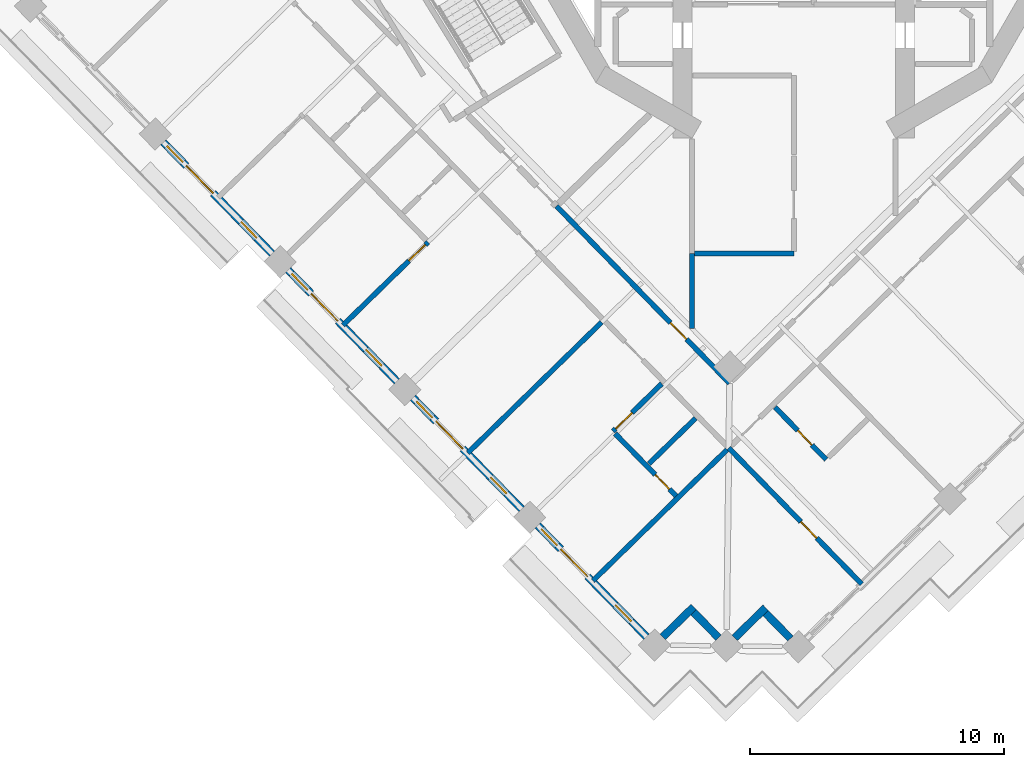
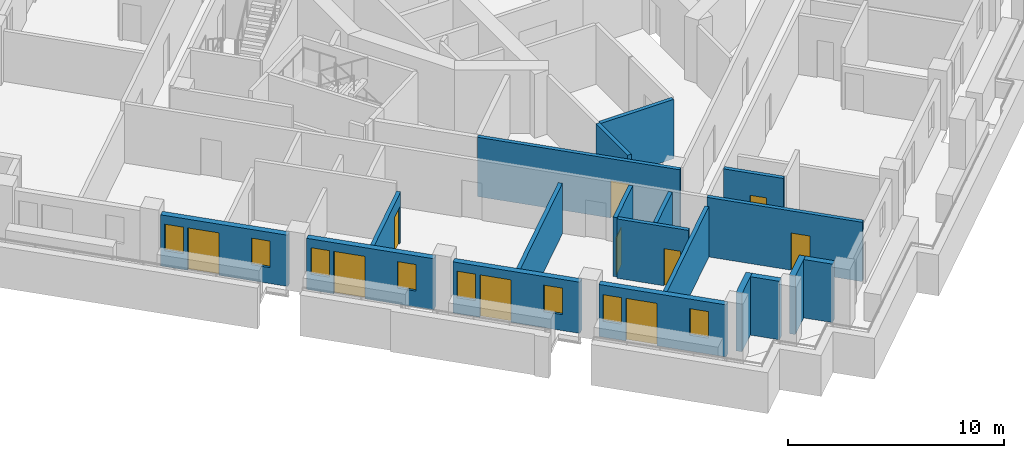
# One storey, part 4 of 19: 19 walls, 10 doors, 8 windows, 18 openings.
"""IFC4 building model written with IfcOpenShell, lengths in metres."""

import ifcopenshell
import ifcopenshell.guid

model = None  # the IFC model being written
_history = None  # IfcOwnerHistory: only IFC2X3 demands one
_inside = {}  # id of a spatial element -> (the spatial element, [elements in it])
_under = {}  # id of a project, library or spatial element -> (it, [spatial elements below it])
_declared = {}  # id of a project -> (the project, [libraries it declares])
_typed = {}  # id of a type object -> (the type object, [elements of that type])
_made_of = {}  # id of a material, layer set ... -> (it, [elements and type objects made of it])


def new_model(schema):
    """Start an empty IFC model of exactly this schema.

    Asked for "IFC4X3", IfcOpenShell would pick the latest addendum, in which some entities
    have other attributes; the version numbers below select the first issue.
    IFC2X3 requires an IfcOwnerHistory on every rooted entity: one is made here for all.
    """
    global model, _history
    if schema == "IFC4X3":
        model = ifcopenshell.file(schema_version=(4, 3, 0, 0))
    else:
        model = ifcopenshell.file(schema=schema)
    _inside.clear()
    _under.clear()
    _declared.clear()
    _typed.clear()
    _made_of.clear()
    _history = None
    if model.schema == "IFC2X3":
        org = make("IfcOrganization", Name="unknown")
        user = make(
            "IfcPersonAndOrganization",
            ThePerson=make("IfcPerson", FamilyName="unknown"),
            TheOrganization=org,
        )
        app = make(
            "IfcApplication",
            ApplicationDeveloper=org,
            Version="unknown",
            ApplicationFullName="unknown",
            ApplicationIdentifier="unknown",
        )
        _history = make(
            "IfcOwnerHistory",
            OwningUser=user,
            OwningApplication=app,
            ChangeAction="ADDED",
            CreationDate=0,
        )
    return model


def make(cls, **values):
    """One entity of the class cls with the attributes given. An attribute that is None is left unset."""
    return model.create_entity(
        cls, **{name: value for name, value in values.items() if value is not None}
    )


def rooted(cls, **values):
    """An entity with a GlobalId (a new one), such as an element, a storey or a relation."""
    return make(cls, GlobalId=ifcopenshell.guid.new(), OwnerHistory=_history, **values)


def si_unit(unit_type, name, prefix=None):
    """IfcSIUnit, for example si_unit("LENGTHUNIT", "METRE", prefix="MILLI")."""
    return make("IfcSIUnit", UnitType=unit_type, Prefix=prefix, Name=name)


def assignment(units):
    """IfcUnitAssignment: the units of a project."""
    return None if units is None else make("IfcUnitAssignment", Units=units)


def point(xyz):
    """IfcCartesianPoint."""
    return None if xyz is None else make("IfcCartesianPoint", Coordinates=xyz)


def direction(xyz):
    """IfcDirection."""
    return None if xyz is None else make("IfcDirection", DirectionRatios=xyz)


def frame(location, z_axis=None, x_axis=None):
    """IfcAxis2Placement3D, a coordinate frame: its origin and axes. An axis left out is left unset."""
    return make(
        "IfcAxis2Placement3D",
        Location=point(location),
        Axis=direction(z_axis),
        RefDirection=direction(x_axis),
    )


def frame_2d(location, x_axis=None):
    """IfcAxis2Placement2D, a coordinate frame in the plane: its origin and x axis."""
    return make(
        "IfcAxis2Placement2D", Location=point(location), RefDirection=direction(x_axis)
    )


def origin():
    """The frame at (0, 0, 0) with its axes left unset."""
    return frame((0.0, 0.0, 0.0))


def place(relative_to, where):
    """IfcLocalPlacement: puts the frame where relative to a parent placement (None: the world)."""
    return make(
        "IfcLocalPlacement", PlacementRelTo=relative_to, RelativePlacement=where
    )


def context(
    kind, dimensions, precision=None, world=None, true_north=None, identifier=None
):
    """IfcGeometricRepresentationContext, for example the 3D "Model" context."""
    return make(
        "IfcGeometricRepresentationContext",
        ContextIdentifier=identifier,
        ContextType=kind,
        CoordinateSpaceDimension=dimensions,
        Precision=precision,
        WorldCoordinateSystem=world,
        TrueNorth=true_north,
    )


def subcontext(parent, identifier, kind, view, scale=None):
    """IfcGeometricRepresentationSubContext, for example "Body" below "Model"."""
    return make(
        "IfcGeometricRepresentationSubContext",
        ContextIdentifier=identifier,
        ContextType=kind,
        ParentContext=parent,
        TargetScale=scale,
        TargetView=view,
    )


def project(units=None, contexts=None):
    """IfcProject with its units and contexts."""
    return rooted(
        "IfcProject",
        Name="project",
        RepresentationContexts=contexts,
        UnitsInContext=assignment(units),
    )


def spatial(cls, under=None, at=None, **own):
    """A site, building, storey or space (cls), placed at a placement, below another one or the project."""
    s = rooted(cls, ObjectPlacement=at, **own)
    if under is not None:
        _under.setdefault(under.id(), (under, []))[1].append(s)
    return s


def profile(cls, at=None, kind="AREA", **sizes):
    """A parametric profile (cls). Its sizes go by their IFC names, for example OverallWidth=200.0."""
    return make(cls, ProfileType=kind, Position=at, **sizes)


def rectangle(**sizes):
    """IfcRectangleProfileDef."""
    return profile("IfcRectangleProfileDef", **sizes)


def extrude(swept, where, along, depth):
    """IfcExtrudedAreaSolid: the profile swept, set in the frame where, extruded along a direction by depth."""
    return make(
        "IfcExtrudedAreaSolid",
        SweptArea=swept,
        Position=where,
        ExtrudedDirection=direction(along),
        Depth=depth,
    )


def shape(context_of_items, identifier, shape_type, items):
    """IfcShapeRepresentation: the items that make up one representation, for example the "Body"."""
    return make(
        "IfcShapeRepresentation",
        ContextOfItems=context_of_items,
        RepresentationIdentifier=identifier,
        RepresentationType=shape_type,
        Items=items,
    )


def material(Name=None, Category=None):
    """IfcMaterial."""
    return make("IfcMaterial", Name=Name, Category=Category)


def layer(
    of_material, thickness, ventilated=None, Name=None, Category=None, Priority=None
):
    """IfcMaterialLayer: one layer of a wall or slab, of a material (None: an air gap)."""
    return make(
        "IfcMaterialLayer",
        Material=of_material,
        LayerThickness=thickness,
        IsVentilated=ventilated,
        Name=Name,
        Category=Category,
        Priority=Priority,
    )


def layer_set(layers, Name=None):
    """IfcMaterialLayerSet."""
    return make("IfcMaterialLayerSet", MaterialLayers=layers, LayerSetName=Name)


def made_of(thing, what):
    """Note that an element or type object is made of a material, layer set ...; save() writes the relation."""
    if what is not None:
        _made_of.setdefault(what.id(), (what, []))[1].append(thing)
    return thing


def type_object(cls, material=None, **own):
    """A type object (cls), such as IfcWallType, which elements share."""
    return made_of(rooted(cls, **own), material)


def element(
    cls,
    number,
    at=None,
    inside=None,
    cuts=None,
    type_object=None,
    material=None,
    context=None,
    identifier="Body",
    shape_type=None,
    held_by="IfcProductDefinitionShape",
    body=None,
    shapes=None,
    **own,
):
    """One element of the class cls, such as IfcWall. Its Tag is "e" and its number.

    at: its placement. inside: the storey or other place that contains it. cuts: it is an
    opening in that element (IfcRelVoidsElement). A single representation is given by context,
    identifier, shape_type and body (its items); several are given by shapes. held_by: the class
    of the entity that holds the representations. save() writes the other relations.
    """
    e = rooted(cls, Tag="e%d" % number, ObjectPlacement=at, **own)
    if body is not None:
        shapes = [shape(context, identifier, shape_type, body)]
    if shapes is not None:
        e.Representation = make(held_by, Representations=shapes)
    if inside is not None:
        _inside.setdefault(inside.id(), (inside, []))[1].append(e)
    if cuts is not None:
        rooted(
            "IfcRelVoidsElement", RelatingBuildingElement=cuts, RelatedOpeningElement=e
        )
    if type_object is not None:
        _typed.setdefault(type_object.id(), (type_object, []))[1].append(e)
    return made_of(e, material)


def fill(opening, filler):
    """IfcRelFillsElement: the door or window that sits in an opening."""
    return rooted(
        "IfcRelFillsElement",
        RelatingOpeningElement=opening,
        RelatedBuildingElement=filler,
    )


def aggregate(whole, parts):
    """IfcRelAggregates: a whole, such as a stair, and the parts it consists of."""
    return rooted("IfcRelAggregates", RelatingObject=whole, RelatedObjects=parts)


def save(model, path):
    """Write the relations noted so far, then the file.

    IfcRelAggregates (storeys below a building ...), IfcRelContainedInSpatialStructure (elements
    in a storey), IfcRelDefinesByType, IfcRelAssociatesMaterial and IfcRelDeclares: one each for
    every whole, place, type object, material and project.
    """
    for whole, parts in _under.values():
        aggregate(whole, parts)
    for where, things in _inside.values():
        rooted(
            "IfcRelContainedInSpatialStructure",
            RelatedElements=things,
            RelatingStructure=where,
        )
    for kind, things in _typed.values():
        rooted("IfcRelDefinesByType", RelatedObjects=things, RelatingType=kind)
    for what, things in _made_of.values():
        rooted("IfcRelAssociatesMaterial", RelatedObjects=things, RelatingMaterial=what)
    for by, libraries in _declared.values():
        rooted("IfcRelDeclares", RelatingContext=by, RelatedDefinitions=libraries)
    model.write(path)


model = new_model("IFC4")

# Units and contexts
model_context = context("Model", 3, precision=1e-05, world=origin(), true_north=direction((0.0, 1.0)))
body_context = subcontext(model_context, "Body", "Model", "MODEL_VIEW")
ifc_project = project(units=[si_unit("LENGTHUNIT", "METRE"), si_unit("AREAUNIT", "SQUARE_METRE"), si_unit("VOLUMEUNIT", "CUBIC_METRE"), si_unit("PLANEANGLEUNIT", "RADIAN"), si_unit("MASSUNIT", "GRAM", prefix="KILO")], contexts=[model_context])

# Site, building, storey
site_placement = place(None, origin())
site = spatial("IfcSite", under=ifc_project, at=site_placement, CompositionType="ELEMENT")
building_placement = place(site_placement, origin())
building = spatial("IfcBuilding", under=site, at=building_placement, Name="Cantera Rosa Tower", CompositionType="ELEMENT")
storey_placement = place(building_placement, frame((0.0, 0.0, 216.199951171875)))
storey = spatial("IfcBuildingStorey", under=building, at=storey_placement, Name="L46", CompositionType="ELEMENT", Elevation=216.199951171875)

# Wall, opening, door
ifc_material_1 = material(Name="Gypsum board partition")
ifc_layer_1 = layer(ifc_material_1, 0.199951171875)
ifc_layer_set_1 = layer_set([ifc_layer_1], Name="CORRIDOR WALL 200 H3350")
wall_type_1 = type_object("IfcWallType", Name="CORRIDOR WALL 200 H3350", PredefinedType="PARTITIONING", material=ifc_layer_set_1)
wall_1_placement = place(storey_placement, frame((-9.325927734375, -12.634521484375, 0.0), z_axis=(0.0, 0.0, 1.0), x_axis=(0.698841350765, -0.71527670622, 0.0)))
wall_1 = element("IfcWall", 1, at=wall_1_placement, inside=storey, type_object=wall_type_1, Name="CORRIDOR WALL L46-032", PredefinedType="PARTITIONING", context=body_context, shape_type="SweptSolid", body=[
    extrude(rectangle(XDim=9.729736328125, YDim=0.199951171875, at=frame_2d((4.86474609375, 0.0))), origin(), (0.0, 0.0, 1.0), 3.35009765625),
])
opening_1_placement = place(wall_1_placement, frame((6.406982421875, 0.0, 0.0)))
opening_1 = element("IfcOpeningElement", 2, at=opening_1_placement, cuts=wall_1, Name="Opening L46-010", PredefinedType="OPENING", context=body_context, shape_type="SweptSolid", body=[
    extrude(rectangle(XDim=0.89990234375, YDim=2.10009765625, at=frame_2d((0.449951171875, 1.050048828125))), frame((0.0, 0.10986328125, 0.0), z_axis=(0.0, -1.0, 0.0), x_axis=(1.0, 0.0, 0.0)), (0.0, 0.0, 1.0), 0.219970703125),
])
ifc_material_2 = material(Name="Timber door leaf", Category="wood")
door_type_1 = type_object("IfcDoorType", Name="SERVICE DOOR 900x2100", OperationType="NOTDEFINED", PredefinedType="DOOR", material=ifc_material_2)
door_1_placement = place(opening_1_placement, origin())
door_1 = element("IfcDoor", 3, at=door_1_placement, inside=storey, type_object=door_type_1, Name="DOOR L46-010", OperationType="NOTDEFINED", OverallHeight=2.10009765625, OverallWidth=0.89990234375, PredefinedType="DOOR", context=body_context, shape_type="SweptSolid", body=[
    extrude(rectangle(XDim=0.89990234375, YDim=2.10009765625, at=frame_2d((0.449951171875, 1.050048828125))), frame((0.0, 0.02490234375, 0.0), z_axis=(0.0, -1.0, 0.0), x_axis=(1.0, 0.0, 0.0)), (0.0, 0.0, 1.0), 0.050048828125),
])
fill(opening_1, door_1)

# Walls
wall_2_placement = place(storey_placement, frame((-4.0, -14.5, 0.0), z_axis=(0.0, 0.0, 1.0), x_axis=(0.0, -1.0, 0.0)))
element("IfcWall", 4, at=wall_2_placement, inside=storey, type_object=wall_type_1, Name="CORRIDOR WALL L46-051", PredefinedType="PARTITIONING", context=body_context, shape_type="SweptSolid", body=[
    extrude(rectangle(XDim=2.94189453125, YDim=0.199951171875, at=frame_2d((1.470947265625, 0.0))), origin(), (0.0, 0.0, 1.0), 3.35009765625),
])
wall_3_placement = place(storey_placement, frame((-3.89990234375, -14.5, 0.0), z_axis=(0.0, 0.0, 1.0), x_axis=(1.0, 0.0, 0.0)))
element("IfcWall", 5, at=wall_3_placement, inside=storey, type_object=wall_type_1, Name="CORRIDOR WALL L46-052", PredefinedType="PARTITIONING", context=body_context, shape_type="SweptSolid", body=[
    extrude(rectangle(XDim=3.89990234375, YDim=0.199951171875, at=frame_2d((1.949951171875, 0.0))), origin(), (0.0, 0.0, 1.0), 3.35009765625),
])
ifc_material_3 = material(Name="Hollow clay masonry with cantera stone cladding", Category="masonry")
ifc_layer_2 = layer(ifc_material_3, 0.300048828125)
ifc_layer_set_2 = layer_set([ifc_layer_2], Name="EW-LOGGIA 300")
wall_type_2 = type_object("IfcWallType", Name="EW-LOGGIA 300", PredefinedType="SOLIDWALL", material=ifc_layer_set_2)
wall_4_placement = place(storey_placement, frame((-5.15283203125, -29.56982421875, 0.0), z_axis=(0.0, 0.0, 1.0), x_axis=(0.715316077832, 0.69880105094, 0.0)))
element("IfcWall", 6, at=wall_4_placement, inside=storey, type_object=wall_type_2, Name="EN-L46-W19a", PredefinedType="SOLIDWALL", context=body_context, shape_type="SweptSolid", body=[
    extrude(rectangle(XDim=1.699951171875, YDim=0.300048828125, at=frame_2d((0.85009765625, 0.0))), origin(), (0.0, 0.0, 1.0), 3.300048828125),
])
wall_5_placement = place(storey_placement, frame((-3.939208984375, -28.593994140625, 0.0), z_axis=(0.0, 0.0, 1.0), x_axis=(0.698861982187, -0.715256548278, 0.0)))
element("IfcWall", 7, at=wall_5_placement, inside=storey, type_object=wall_type_2, Name="EN-L46-W19b", PredefinedType="SOLIDWALL", context=body_context, shape_type="SweptSolid", body=[
    extrude(rectangle(XDim=1.39990234375, YDim=0.300048828125, at=frame_2d((0.699951171875, 0.0))), origin(), (0.0, 0.0, 1.0), 3.300048828125),
])
wall_6_placement = place(storey_placement, frame((-2.324462890625, -29.602783203125, 0.0), z_axis=(0.0, 0.0, 1.0), x_axis=(0.715316077832, 0.69880105094, 0.0)))
element("IfcWall", 8, at=wall_6_placement, inside=storey, type_object=wall_type_2, Name="EN-L46-W20a", PredefinedType="SOLIDWALL", context=body_context, shape_type="SweptSolid", body=[
    extrude(rectangle(XDim=1.699951171875, YDim=0.300048828125, at=frame_2d((0.85009765625, 0.0))), origin(), (0.0, 0.0, 1.0), 3.300048828125),
])
wall_7_placement = place(storey_placement, frame((-1.111083984375, -28.626953125, 0.0), z_axis=(0.0, 0.0, 1.0), x_axis=(0.698951192766, -0.71516937164, 0.0)))
element("IfcWall", 9, at=wall_7_placement, inside=storey, type_object=wall_type_2, Name="EN-L46-W20b", PredefinedType="SOLIDWALL", context=body_context, shape_type="SweptSolid", body=[
    extrude(rectangle(XDim=1.39990234375, YDim=0.300048828125, at=frame_2d((0.699951171875, 0.0))), origin(), (0.0, 0.0, 1.0), 3.300048828125),
])

# Wall, openings, windows, door
ifc_material_4 = material(Name="Hollow clay masonry with cantera stone cladding", Category="masonry")
ifc_layer_3 = layer(ifc_material_4, 0.300048828125)
ifc_layer_set_3 = layer_set([ifc_layer_3], Name="EW-LOGGIA 300 H2890")
wall_type_3 = type_object("IfcWallType", Name="EW-LOGGIA 300 H2890", PredefinedType="SOLIDWALL", material=ifc_layer_set_3)
wall_8_placement = place(storey_placement, frame((-24.783203125, -10.120849609375, 0.0), z_axis=(0.0, 0.0, 1.0), x_axis=(0.698800768177, -0.715316354067, 0.0)))
wall_8 = element("IfcWall", 10, at=wall_8_placement, inside=storey, type_object=wall_type_3, Name="EN-L46-W15", PredefinedType="SOLIDWALL", context=body_context, shape_type="SweptSolid", body=[
    extrude(rectangle(XDim=6.119873046875, YDim=0.300048828125, at=frame_2d((3.06005859375, 0.0))), origin(), (0.0, 0.0, 1.0), 2.89013671875),
])
opening_2_placement = place(wall_8_placement, frame((0.199951171875, 0.0, 0.89990234375)))
opening_2 = element("IfcOpeningElement", 11, at=opening_2_placement, cuts=wall_8, Name="Opening L46-W25", PredefinedType="OPENING", context=body_context, shape_type="SweptSolid", body=[
    extrude(rectangle(XDim=0.89990234375, YDim=1.5, at=frame_2d((0.449951171875, 0.75))), frame((0.0, 0.159912109375, 0.0), z_axis=(0.0, -1.0, 0.0), x_axis=(1.0, 0.0, 0.0)), (0.0, 0.0, 1.0), 0.320068359375),
])
opening_3_placement = place(wall_8_placement, frame((1.300048828125, 0.0, 0.0)))
opening_3 = element("IfcOpeningElement", 12, at=opening_3_placement, cuts=wall_8, Name="Opening L46-TD26", PredefinedType="OPENING", context=body_context, shape_type="SweptSolid", body=[
    extrude(rectangle(XDim=1.5, YDim=2.39990234375, at=frame_2d((0.75, 1.199951171875))), frame((0.0, 0.159912109375, 0.0), z_axis=(0.0, -1.0, 0.0), x_axis=(1.0, 0.0, 0.0)), (0.0, 0.0, 1.0), 0.320068359375),
])
opening_4_placement = place(wall_8_placement, frame((4.364990234375, 0.0, 0.89990234375)))
opening_4 = element("IfcOpeningElement", 13, at=opening_4_placement, cuts=wall_8, Name="Opening L46-W27", PredefinedType="OPENING", context=body_context, shape_type="SweptSolid", body=[
    extrude(rectangle(XDim=0.89990234375, YDim=1.5, at=frame_2d((0.449951171875, 0.75))), frame((0.0, 0.159912109375, 0.0), z_axis=(0.0, -1.0, 0.0), x_axis=(1.0, 0.0, 0.0)), (0.0, 0.0, 1.0), 0.320068359375),
])
ifc_material_5 = material(Name="Aluminium frame with clear glass", Category="aluminium")
window_type = type_object("IfcWindowType", Name="Residential window 900x1500", PartitioningType="SINGLE_PANEL", PredefinedType="WINDOW", material=ifc_material_5)
window_1_placement = place(opening_2_placement, origin())
window_1 = element("IfcWindow", 14, at=window_1_placement, inside=storey, type_object=window_type, Name="WINDOW L46-W25", OverallHeight=1.5, OverallWidth=0.89990234375, PartitioningType="SINGLE_PANEL", PredefinedType="WINDOW", context=body_context, shape_type="SweptSolid", body=[
    extrude(rectangle(XDim=0.89990234375, YDim=1.5, at=frame_2d((0.449951171875, 0.75))), frame((0.0, 0.030029296875, 0.0), z_axis=(0.0, -1.0, 0.0), x_axis=(1.0, 0.0, 0.0)), (0.0, 0.0, 1.0), 0.06005859375),
])
fill(opening_2, window_1)
window_2_placement = place(opening_4_placement, origin())
window_2 = element("IfcWindow", 15, at=window_2_placement, inside=storey, type_object=window_type, Name="WINDOW L46-W27", OverallHeight=1.5, OverallWidth=0.89990234375, PartitioningType="SINGLE_PANEL", PredefinedType="WINDOW", context=body_context, shape_type="SweptSolid", body=[
    extrude(rectangle(XDim=0.89990234375, YDim=1.5, at=frame_2d((0.449951171875, 0.75))), frame((0.0, 0.030029296875, 0.0), z_axis=(0.0, -1.0, 0.0), x_axis=(1.0, 0.0, 0.0)), (0.0, 0.0, 1.0), 0.06005859375),
])
fill(opening_4, window_2)
ifc_material_6 = material(Name="Aluminium frame with clear glass", Category="aluminium")
door_type_2 = type_object("IfcDoorType", Name="TD-R 1500x2400", OperationType="NOTDEFINED", PredefinedType="DOOR", material=ifc_material_6)
door_2_placement = place(opening_3_placement, origin())
door_2 = element("IfcDoor", 16, at=door_2_placement, inside=storey, type_object=door_type_2, Name="LOGGIA DOOR L46-TD26", OperationType="SLIDING_TO_LEFT", OverallHeight=2.39990234375, OverallWidth=1.5, PredefinedType="DOOR", context=body_context, shape_type="SweptSolid", body=[
    extrude(rectangle(XDim=1.5, YDim=2.39990234375, at=frame_2d((0.75, 1.199951171875))), frame((0.0, 0.02490234375, 0.0), z_axis=(0.0, -1.0, 0.0), x_axis=(1.0, 0.0, 0.0)), (0.0, 0.0, 1.0), 0.050048828125),
])
fill(opening_3, door_2)

wall_9_placement = place(storey_placement, frame((-19.87744140625, -15.142333984375, 0.0), z_axis=(0.0, 0.0, 1.0), x_axis=(0.698841120217, -0.71527693147, 0.0)))
wall_9 = element("IfcWall", 17, at=wall_9_placement, inside=storey, type_object=wall_type_3, Name="EN-L46-W16", PredefinedType="SOLIDWALL", context=body_context, shape_type="SweptSolid", body=[
    extrude(rectangle(XDim=6.119873046875, YDim=0.300048828125, at=frame_2d((3.06005859375, 0.0))), origin(), (0.0, 0.0, 1.0), 2.89013671875),
])
opening_5_placement = place(wall_9_placement, frame((0.199951171875, 0.0, 0.89990234375)))
opening_5 = element("IfcOpeningElement", 18, at=opening_5_placement, cuts=wall_9, Name="Opening L46-W28", PredefinedType="OPENING", context=body_context, shape_type="SweptSolid", body=[
    extrude(rectangle(XDim=0.89990234375, YDim=1.5, at=frame_2d((0.449951171875, 0.75))), frame((0.0, 0.159912109375, 0.0), z_axis=(0.0, -1.0, 0.0), x_axis=(1.0, 0.0, 0.0)), (0.0, 0.0, 1.0), 0.320068359375),
])
opening_6_placement = place(wall_9_placement, frame((1.300048828125, 0.0, 0.0)))
opening_6 = element("IfcOpeningElement", 19, at=opening_6_placement, cuts=wall_9, Name="Opening L46-TD29", PredefinedType="OPENING", context=body_context, shape_type="SweptSolid", body=[
    extrude(rectangle(XDim=1.5, YDim=2.39990234375, at=frame_2d((0.75, 1.199951171875))), frame((0.0, 0.159912109375, 0.0), z_axis=(0.0, -1.0, 0.0), x_axis=(1.0, 0.0, 0.0)), (0.0, 0.0, 1.0), 0.320068359375),
])
opening_7_placement = place(wall_9_placement, frame((4.364990234375, 0.0, 0.89990234375)))
opening_7 = element("IfcOpeningElement", 20, at=opening_7_placement, cuts=wall_9, Name="Opening L46-W30", PredefinedType="OPENING", context=body_context, shape_type="SweptSolid", body=[
    extrude(rectangle(XDim=0.89990234375, YDim=1.5, at=frame_2d((0.449951171875, 0.75))), frame((0.0, 0.159912109375, 0.0), z_axis=(0.0, -1.0, 0.0), x_axis=(1.0, 0.0, 0.0)), (0.0, 0.0, 1.0), 0.320068359375),
])
window_3_placement = place(opening_5_placement, origin())
window_3 = element("IfcWindow", 21, at=window_3_placement, inside=storey, type_object=window_type, Name="WINDOW L46-W28", OverallHeight=1.5, OverallWidth=0.89990234375, PartitioningType="SINGLE_PANEL", PredefinedType="WINDOW", context=body_context, shape_type="SweptSolid", body=[
    extrude(rectangle(XDim=0.89990234375, YDim=1.5, at=frame_2d((0.449951171875, 0.75))), frame((0.0, 0.030029296875, 0.0), z_axis=(0.0, -1.0, 0.0), x_axis=(1.0, 0.0, 0.0)), (0.0, 0.0, 1.0), 0.06005859375),
])
fill(opening_5, window_3)
window_4_placement = place(opening_7_placement, origin())
window_4 = element("IfcWindow", 22, at=window_4_placement, inside=storey, type_object=window_type, Name="WINDOW L46-W30", OverallHeight=1.5, OverallWidth=0.89990234375, PartitioningType="SINGLE_PANEL", PredefinedType="WINDOW", context=body_context, shape_type="SweptSolid", body=[
    extrude(rectangle(XDim=0.89990234375, YDim=1.5, at=frame_2d((0.449951171875, 0.75))), frame((0.0, 0.030029296875, 0.0), z_axis=(0.0, -1.0, 0.0), x_axis=(1.0, 0.0, 0.0)), (0.0, 0.0, 1.0), 0.06005859375),
])
fill(opening_7, window_4)
door_3_placement = place(opening_6_placement, origin())
door_3 = element("IfcDoor", 23, at=door_3_placement, inside=storey, type_object=door_type_2, Name="LOGGIA DOOR L46-TD29", OperationType="SLIDING_TO_LEFT", OverallHeight=2.39990234375, OverallWidth=1.5, PredefinedType="DOOR", context=body_context, shape_type="SweptSolid", body=[
    extrude(rectangle(XDim=1.5, YDim=2.39990234375, at=frame_2d((0.75, 1.199951171875))), frame((0.0, 0.02490234375, 0.0), z_axis=(0.0, -1.0, 0.0), x_axis=(1.0, 0.0, 0.0)), (0.0, 0.0, 1.0), 0.050048828125),
])
fill(opening_6, door_3)

wall_10_placement = place(storey_placement, frame((-14.9716796875, -20.16357421875, 0.0), z_axis=(0.0, 0.0, 1.0), x_axis=(0.698841120217, -0.71527693147, 0.0)))
wall_10 = element("IfcWall", 24, at=wall_10_placement, inside=storey, type_object=wall_type_3, Name="EN-L46-W17", PredefinedType="SOLIDWALL", context=body_context, shape_type="SweptSolid", body=[
    extrude(rectangle(XDim=6.119873046875, YDim=0.300048828125, at=frame_2d((3.06005859375, 0.0))), origin(), (0.0, 0.0, 1.0), 2.89013671875),
])
opening_8_placement = place(wall_10_placement, frame((0.199951171875, 0.0, 0.89990234375)))
opening_8 = element("IfcOpeningElement", 25, at=opening_8_placement, cuts=wall_10, Name="Opening L46-W31", PredefinedType="OPENING", context=body_context, shape_type="SweptSolid", body=[
    extrude(rectangle(XDim=0.89990234375, YDim=1.5, at=frame_2d((0.449951171875, 0.75))), frame((0.0, 0.159912109375, 0.0), z_axis=(0.0, -1.0, 0.0), x_axis=(1.0, 0.0, 0.0)), (0.0, 0.0, 1.0), 0.320068359375),
])
opening_9_placement = place(wall_10_placement, frame((1.300048828125, 0.0, 0.0)))
opening_9 = element("IfcOpeningElement", 26, at=opening_9_placement, cuts=wall_10, Name="Opening L46-TD32", PredefinedType="OPENING", context=body_context, shape_type="SweptSolid", body=[
    extrude(rectangle(XDim=1.5, YDim=2.39990234375, at=frame_2d((0.75, 1.199951171875))), frame((0.0, 0.159912109375, 0.0), z_axis=(0.0, -1.0, 0.0), x_axis=(1.0, 0.0, 0.0)), (0.0, 0.0, 1.0), 0.320068359375),
])
opening_10_placement = place(wall_10_placement, frame((4.364990234375, 0.0, 0.89990234375)))
opening_10 = element("IfcOpeningElement", 27, at=opening_10_placement, cuts=wall_10, Name="Opening L46-W33", PredefinedType="OPENING", context=body_context, shape_type="SweptSolid", body=[
    extrude(rectangle(XDim=0.89990234375, YDim=1.5, at=frame_2d((0.449951171875, 0.75))), frame((0.0, 0.159912109375, 0.0), z_axis=(0.0, -1.0, 0.0), x_axis=(1.0, 0.0, 0.0)), (0.0, 0.0, 1.0), 0.320068359375),
])
window_5_placement = place(opening_8_placement, origin())
window_5 = element("IfcWindow", 28, at=window_5_placement, inside=storey, type_object=window_type, Name="WINDOW L46-W31", OverallHeight=1.5, OverallWidth=0.89990234375, PartitioningType="SINGLE_PANEL", PredefinedType="WINDOW", context=body_context, shape_type="SweptSolid", body=[
    extrude(rectangle(XDim=0.89990234375, YDim=1.5, at=frame_2d((0.449951171875, 0.75))), frame((0.0, 0.030029296875, 0.0), z_axis=(0.0, -1.0, 0.0), x_axis=(1.0, 0.0, 0.0)), (0.0, 0.0, 1.0), 0.06005859375),
])
fill(opening_8, window_5)
window_6_placement = place(opening_10_placement, origin())
window_6 = element("IfcWindow", 29, at=window_6_placement, inside=storey, type_object=window_type, Name="WINDOW L46-W33", OverallHeight=1.5, OverallWidth=0.89990234375, PartitioningType="SINGLE_PANEL", PredefinedType="WINDOW", context=body_context, shape_type="SweptSolid", body=[
    extrude(rectangle(XDim=0.89990234375, YDim=1.5, at=frame_2d((0.449951171875, 0.75))), frame((0.0, 0.030029296875, 0.0), z_axis=(0.0, -1.0, 0.0), x_axis=(1.0, 0.0, 0.0)), (0.0, 0.0, 1.0), 0.06005859375),
])
fill(opening_10, window_6)
door_4_placement = place(opening_9_placement, origin())
door_4 = element("IfcDoor", 30, at=door_4_placement, inside=storey, type_object=door_type_2, Name="LOGGIA DOOR L46-TD32", OperationType="SLIDING_TO_LEFT", OverallHeight=2.39990234375, OverallWidth=1.5, PredefinedType="DOOR", context=body_context, shape_type="SweptSolid", body=[
    extrude(rectangle(XDim=1.5, YDim=2.39990234375, at=frame_2d((0.75, 1.199951171875))), frame((0.0, 0.02490234375, 0.0), z_axis=(0.0, -1.0, 0.0), x_axis=(1.0, 0.0, 0.0)), (0.0, 0.0, 1.0), 0.050048828125),
])
fill(opening_9, door_4)

ifc_material_7 = material(Name="Hollow clay masonry with cantera stone cladding", Category="masonry")
ifc_layer_4 = layer(ifc_material_7, 0.300048828125)
ifc_layer_set_4 = layer_set([ifc_layer_4], Name="EW-LOGGIA 300 H2940")
wall_type_4 = type_object("IfcWallType", Name="EW-LOGGIA 300 H2940", PredefinedType="SOLIDWALL", material=ifc_layer_set_4)
wall_11_placement = place(storey_placement, frame((-10.06591796875, -25.184814453125, 0.0), z_axis=(0.0, 0.0, 1.0), x_axis=(0.69882117953, -0.715296413412, 0.0)))
wall_11 = element("IfcWall", 31, at=wall_11_placement, inside=storey, type_object=wall_type_4, Name="EN-L46-W18", PredefinedType="SOLIDWALL", context=body_context, shape_type="SweptSolid", body=[
    extrude(rectangle(XDim=6.1201171875, YDim=0.300048828125, at=frame_2d((3.06005859375, 0.0))), origin(), (0.0, 0.0, 1.0), 2.93994140625),
])
opening_11_placement = place(wall_11_placement, frame((0.199951171875, 0.0, 0.89990234375)))
opening_11 = element("IfcOpeningElement", 32, at=opening_11_placement, cuts=wall_11, Name="Opening L46-W34", PredefinedType="OPENING", context=body_context, shape_type="SweptSolid", body=[
    extrude(rectangle(XDim=0.89990234375, YDim=1.5, at=frame_2d((0.449951171875, 0.75))), frame((0.0, 0.159912109375, 0.0), z_axis=(0.0, -1.0, 0.0), x_axis=(1.0, 0.0, 0.0)), (0.0, 0.0, 1.0), 0.320068359375),
])
opening_12_placement = place(wall_11_placement, frame((1.300048828125, 0.0, 0.0)))
opening_12 = element("IfcOpeningElement", 33, at=opening_12_placement, cuts=wall_11, Name="Opening L46-TD35", PredefinedType="OPENING", context=body_context, shape_type="SweptSolid", body=[
    extrude(rectangle(XDim=1.5, YDim=2.39990234375, at=frame_2d((0.75, 1.199951171875))), frame((0.0, 0.159912109375, 0.0), z_axis=(0.0, -1.0, 0.0), x_axis=(1.0, 0.0, 0.0)), (0.0, 0.0, 1.0), 0.320068359375),
])
opening_13_placement = place(wall_11_placement, frame((4.364990234375, 0.0, 0.89990234375)))
opening_13 = element("IfcOpeningElement", 34, at=opening_13_placement, cuts=wall_11, Name="Opening L46-W36", PredefinedType="OPENING", context=body_context, shape_type="SweptSolid", body=[
    extrude(rectangle(XDim=0.89990234375, YDim=1.5, at=frame_2d((0.449951171875, 0.75))), frame((0.0, 0.159912109375, 0.0), z_axis=(0.0, -1.0, 0.0), x_axis=(1.0, 0.0, 0.0)), (0.0, 0.0, 1.0), 0.320068359375),
])
window_7_placement = place(opening_11_placement, origin())
window_7 = element("IfcWindow", 35, at=window_7_placement, inside=storey, type_object=window_type, Name="WINDOW L46-W34", OverallHeight=1.5, OverallWidth=0.89990234375, PartitioningType="SINGLE_PANEL", PredefinedType="WINDOW", context=body_context, shape_type="SweptSolid", body=[
    extrude(rectangle(XDim=0.89990234375, YDim=1.5, at=frame_2d((0.449951171875, 0.75))), frame((0.0, 0.030029296875, 0.0), z_axis=(0.0, -1.0, 0.0), x_axis=(1.0, 0.0, 0.0)), (0.0, 0.0, 1.0), 0.06005859375),
])
fill(opening_11, window_7)
window_8_placement = place(opening_13_placement, origin())
window_8 = element("IfcWindow", 36, at=window_8_placement, inside=storey, type_object=window_type, Name="WINDOW L46-W36", OverallHeight=1.5, OverallWidth=0.89990234375, PartitioningType="SINGLE_PANEL", PredefinedType="WINDOW", context=body_context, shape_type="SweptSolid", body=[
    extrude(rectangle(XDim=0.89990234375, YDim=1.5, at=frame_2d((0.449951171875, 0.75))), frame((0.0, 0.030029296875, 0.0), z_axis=(0.0, -1.0, 0.0), x_axis=(1.0, 0.0, 0.0)), (0.0, 0.0, 1.0), 0.06005859375),
])
fill(opening_13, window_8)
door_5_placement = place(opening_12_placement, origin())
door_5 = element("IfcDoor", 37, at=door_5_placement, inside=storey, type_object=door_type_2, Name="LOGGIA DOOR L46-TD35", OperationType="SLIDING_TO_LEFT", OverallHeight=2.39990234375, OverallWidth=1.5, PredefinedType="DOOR", context=body_context, shape_type="SweptSolid", body=[
    extrude(rectangle(XDim=1.5, YDim=2.39990234375, at=frame_2d((0.75, 1.199951171875))), frame((0.0, 0.02490234375, 0.0), z_axis=(0.0, -1.0, 0.0), x_axis=(1.0, 0.0, 0.0)), (0.0, 0.0, 1.0), 0.050048828125),
])
fill(opening_12, door_5)

# Wall, opening, door
ifc_material_8 = material(Name="Gypsum board partition")
ifc_layer_5 = layer(ifc_material_8, 0.199951171875)
ifc_layer_set_5 = layer_set([ifc_layer_5], Name="PARTITION 200 H2850")
wall_type_5 = type_object("IfcWallType", Name="PARTITION 200 H2850", PredefinedType="PARTITIONING", material=ifc_layer_set_5)
wall_12_placement = place(storey_placement, frame((-14.377197265625, -14.04638671875, 0.0), z_axis=(0.0, 0.0, 1.0), x_axis=(-0.715266781779, -0.698851508465, 0.0)))
wall_12 = element("IfcWall", 38, at=wall_12_placement, inside=storey, type_object=wall_type_5, Name="PARTITION L46-018", PredefinedType="PARTITIONING", context=body_context, shape_type="SweptSolid", body=[
    extrude(rectangle(XDim=4.670166015625, YDim=0.199951171875, at=frame_2d((2.3349609375, 0.0))), origin(), (0.0, 0.0, 1.0), 2.85009765625),
])
opening_14_placement = place(wall_12_placement, frame((0.14990234375, 0.0, 0.0)))
opening_14 = element("IfcOpeningElement", 39, at=opening_14_placement, cuts=wall_12, Name="Opening L46-042", PredefinedType="OPENING", context=body_context, shape_type="SweptSolid", body=[
    extrude(rectangle(XDim=0.89990234375, YDim=2.10009765625, at=frame_2d((0.449951171875, 1.050048828125))), frame((0.0, 0.10986328125, 0.0), z_axis=(0.0, -1.0, 0.0), x_axis=(1.0, 0.0, 0.0)), (0.0, 0.0, 1.0), 0.219970703125),
])
ifc_material_9 = material(Name="Timber door leaf", Category="wood")
door_type_3 = type_object("IfcDoorType", Name="ROOM DOOR 900x2100", OperationType="NOTDEFINED", PredefinedType="DOOR", material=ifc_material_9)
door_6_placement = place(opening_14_placement, origin())
door_6 = element("IfcDoor", 40, at=door_6_placement, inside=storey, type_object=door_type_3, Name="DOOR L46-042", OperationType="NOTDEFINED", OverallHeight=2.10009765625, OverallWidth=0.89990234375, PredefinedType="DOOR", context=body_context, shape_type="SweptSolid", body=[
    extrude(rectangle(XDim=0.89990234375, YDim=2.10009765625, at=frame_2d((0.449951171875, 1.050048828125))), frame((0.0, 0.02490234375, 0.0), z_axis=(0.0, -1.0, 0.0), x_axis=(1.0, 0.0, 0.0)), (0.0, 0.0, 1.0), 0.050048828125),
])
fill(opening_14, door_6)

ifc_material_10 = material(Name="Gypsum board partition")
ifc_layer_6 = layer(ifc_material_10, 0.199951171875)
ifc_layer_set_6 = layer_set([ifc_layer_6], Name="PARTITION 200 H3350")
wall_type_6 = type_object("IfcWallType", Name="PARTITION 200 H3350", PredefinedType="PARTITIONING", material=ifc_layer_set_6)
wall_13_placement = place(storey_placement, frame((-7.109375, -21.485595703125, 0.0), z_axis=(0.0, 0.0, 1.0), x_axis=(0.715257569765, 0.698860936735, 0.0)))
wall_13 = element("IfcWall", 41, at=wall_13_placement, inside=storey, type_object=wall_type_6, Name="PARTITION L46-040", PredefinedType="PARTITIONING", context=body_context, shape_type="SweptSolid", body=[
    extrude(rectangle(XDim=2.68017578125, YDim=0.199951171875, at=frame_2d((1.340087890625, 0.0))), origin(), (0.0, 0.0, 1.0), 3.35009765625),
])
opening_15_placement = place(wall_13_placement, frame((0.14990234375, 0.0, 0.0)))
opening_15 = element("IfcOpeningElement", 42, at=opening_15_placement, cuts=wall_13, Name="Opening L46-045", PredefinedType="OPENING", context=body_context, shape_type="SweptSolid", body=[
    extrude(rectangle(XDim=0.89990234375, YDim=2.10009765625, at=frame_2d((0.449951171875, 1.050048828125))), frame((0.0, 0.10986328125, 0.0), z_axis=(0.0, -1.0, 0.0), x_axis=(1.0, 0.0, 0.0)), (0.0, 0.0, 1.0), 0.219970703125),
])
door_7_placement = place(opening_15_placement, origin())
door_7 = element("IfcDoor", 43, at=door_7_placement, inside=storey, type_object=door_type_3, Name="DOOR L46-045", OperationType="NOTDEFINED", OverallHeight=2.10009765625, OverallWidth=0.89990234375, PredefinedType="DOOR", context=body_context, shape_type="SweptSolid", body=[
    extrude(rectangle(XDim=0.89990234375, YDim=2.10009765625, at=frame_2d((0.449951171875, 1.050048828125))), frame((0.0, 0.02490234375, 0.0), z_axis=(0.0, -1.0, 0.0), x_axis=(1.0, 0.0, 0.0)), (0.0, 0.0, 1.0), 0.050048828125),
])
fill(opening_15, door_7)

# Wall
wall_14_placement = place(storey_placement, frame((-5.69580078125, -22.7607421875, 0.0), z_axis=(0.0, 0.0, 1.0), x_axis=(0.715260872502, 0.698857556493, 0.0)))
element("IfcWall", 44, at=wall_14_placement, inside=storey, type_object=wall_type_6, Name="PARTITION L46-046", PredefinedType="PARTITIONING", context=body_context, shape_type="SweptSolid", body=[
    extrude(rectangle(XDim=2.56005859375, YDim=0.199951171875, at=frame_2d((1.280029296875, 0.0))), origin(), (0.0, 0.0, 1.0), 3.35009765625),
])

# Wall, opening, door
wall_15_placement = place(storey_placement, frame((-4.628662109375, -24.02490234375, 0.0), z_axis=(0.0, 0.0, 1.0), x_axis=(-0.698765784632, 0.715350528222, 0.0)))
wall_15 = element("IfcWall", 45, at=wall_15_placement, inside=storey, type_object=wall_type_6, Name="PARTITION L46-050", PredefinedType="PARTITIONING", context=body_context, shape_type="SweptSolid", body=[
    extrude(rectangle(XDim=3.429931640625, YDim=0.199951171875, at=frame_2d((1.71484375, 0.0))), origin(), (0.0, 0.0, 1.0), 3.35009765625),
])
opening_16_placement = place(wall_15_placement, frame((0.375, 0.0, 0.0)))
opening_16 = element("IfcOpeningElement", 46, at=opening_16_placement, cuts=wall_15, Name="Opening L46-044", PredefinedType="OPENING", context=body_context, shape_type="SweptSolid", body=[
    extrude(rectangle(XDim=0.800048828125, YDim=2.10009765625, at=frame_2d((0.39990234375, 1.050048828125))), frame((0.0, 0.10986328125, 0.0), z_axis=(0.0, -1.0, 0.0), x_axis=(1.0, 0.0, 0.0)), (0.0, 0.0, 1.0), 0.219970703125),
])
ifc_material_11 = material(Name="Timber door leaf", Category="wood")
door_type_4 = type_object("IfcDoorType", Name="BATHROOM DOOR 800x2100", OperationType="NOTDEFINED", PredefinedType="DOOR", material=ifc_material_11)
door_8_placement = place(opening_16_placement, origin())
door_8 = element("IfcDoor", 47, at=door_8_placement, inside=storey, type_object=door_type_4, Name="DOOR L46-044", OperationType="NOTDEFINED", OverallHeight=2.10009765625, OverallWidth=0.800048828125, PredefinedType="DOOR", context=body_context, shape_type="SweptSolid", body=[
    extrude(rectangle(XDim=0.800048828125, YDim=2.10009765625, at=frame_2d((0.39990234375, 1.050048828125))), frame((0.0, 0.02490234375, 0.0), z_axis=(0.0, -1.0, 0.0), x_axis=(1.0, 0.0, 0.0)), (0.0, 0.0, 1.0), 0.050048828125),
])
fill(opening_16, door_8)

wall_16_placement = place(storey_placement, frame((-2.555908203125, -22.1396484375, 0.0), z_axis=(0.0, 0.0, 1.0), x_axis=(0.698839096465, -0.715278908715, 0.0)))
wall_16 = element("IfcWall", 48, at=wall_16_placement, inside=storey, type_object=wall_type_6, Name="PARTITION L46-057", PredefinedType="PARTITIONING", context=body_context, shape_type="SweptSolid", body=[
    extrude(rectangle(XDim=7.4697265625, YDim=0.199951171875, at=frame_2d((3.73486328125, 0.0))), origin(), (0.0, 0.0, 1.0), 3.35009765625),
])
opening_17_placement = place(wall_16_placement, frame((4.050048828125, 0.0, 0.0)))
opening_17 = element("IfcOpeningElement", 49, at=opening_17_placement, cuts=wall_16, Name="Opening L46-055", PredefinedType="OPENING", context=body_context, shape_type="SweptSolid", body=[
    extrude(rectangle(XDim=0.89990234375, YDim=2.10009765625, at=frame_2d((0.449951171875, 1.050048828125))), frame((0.0, 0.10986328125, 0.0), z_axis=(0.0, -1.0, 0.0), x_axis=(1.0, 0.0, 0.0)), (0.0, 0.0, 1.0), 0.219970703125),
])
door_9_placement = place(opening_17_placement, origin())
door_9 = element("IfcDoor", 50, at=door_9_placement, inside=storey, type_object=door_type_3, Name="DOOR L46-055", OperationType="NOTDEFINED", OverallHeight=2.10009765625, OverallWidth=0.89990234375, PredefinedType="DOOR", context=body_context, shape_type="SweptSolid", body=[
    extrude(rectangle(XDim=0.89990234375, YDim=2.10009765625, at=frame_2d((0.449951171875, 1.050048828125))), frame((0.0, 0.02490234375, 0.0), z_axis=(0.0, -1.0, 0.0), x_axis=(1.0, 0.0, 0.0)), (0.0, 0.0, 1.0), 0.050048828125),
])
fill(opening_17, door_9)

wall_17_placement = place(storey_placement, frame((1.271484375, -22.59423828125, 0.0), z_axis=(0.0, 0.0, 1.0), x_axis=(-0.698792995546, 0.715323947157, 0.0)))
wall_17 = element("IfcWall", 51, at=wall_17_placement, inside=storey, type_object=wall_type_6, Name="PARTITION L46-068", PredefinedType="PARTITIONING", context=body_context, shape_type="SweptSolid", body=[
    extrude(rectangle(XDim=2.8798828125, YDim=0.199951171875, at=frame_2d((1.43994140625, 0.0))), origin(), (0.0, 0.0, 1.0), 3.35009765625),
])
opening_18_placement = place(wall_17_placement, frame((0.800048828125, 0.0, 0.0)))
opening_18 = element("IfcOpeningElement", 52, at=opening_18_placement, cuts=wall_17, Name="Opening L46-054", PredefinedType="OPENING", context=body_context, shape_type="SweptSolid", body=[
    extrude(rectangle(XDim=0.800048828125, YDim=2.10009765625, at=frame_2d((0.39990234375, 1.050048828125))), frame((0.0, 0.10986328125, 0.0), z_axis=(0.0, -1.0, 0.0), x_axis=(1.0, 0.0, 0.0)), (0.0, 0.0, 1.0), 0.219970703125),
])
door_10_placement = place(opening_18_placement, origin())
door_10 = element("IfcDoor", 53, at=door_10_placement, inside=storey, type_object=door_type_4, Name="DOOR L46-054", OperationType="NOTDEFINED", OverallHeight=2.10009765625, OverallWidth=0.800048828125, PredefinedType="DOOR", context=body_context, shape_type="SweptSolid", body=[
    extrude(rectangle(XDim=0.800048828125, YDim=2.10009765625, at=frame_2d((0.39990234375, 1.050048828125))), frame((0.0, 0.02490234375, 0.0), z_axis=(0.0, -1.0, 0.0), x_axis=(1.0, 0.0, 0.0)), (0.0, 0.0, 1.0), 0.050048828125),
])
fill(opening_18, door_10)

# Walls
ifc_material_12 = material(Name="Gypsum board partition")
ifc_layer_7 = layer(ifc_material_12, 0.199951171875)
ifc_layer_set_7 = layer_set([ifc_layer_7], Name="PARTY WALL 200 H2850")
wall_type_7 = type_object("IfcWallType", Name="PARTY WALL 200 H2850", PredefinedType="PARTITIONING", material=ifc_layer_set_7)
wall_18_placement = place(storey_placement, frame((-7.899169921875, -27.35986328125, 0.0), z_axis=(0.0, 0.0, 1.0), x_axis=(0.715290686101, 0.698827041819, 0.0)))
element("IfcWall", 54, at=wall_18_placement, inside=storey, type_object=wall_type_7, Name="PARTY WALL L46-033", PredefinedType="PARTITIONING", context=body_context, shape_type="SweptSolid", body=[
    extrude(rectangle(XDim=7.3701171875, YDim=0.199951171875, at=frame_2d((3.68505859375, 0.0))), origin(), (0.0, 0.0, 1.0), 2.85009765625),
])
wall_19_placement = place(storey_placement, frame((-7.554443359375, -17.195068359375, 0.0), z_axis=(0.0, 0.0, 1.0), x_axis=(-0.715296630095, -0.698820957739, 0.0)))
element("IfcWall", 55, at=wall_19_placement, inside=storey, type_object=wall_type_7, Name="PARTY WALL L46-039", PredefinedType="PARTITIONING", context=body_context, shape_type="SweptSolid", body=[
    extrude(rectangle(XDim=7.349853515625, YDim=0.199951171875, at=frame_2d((3.6748046875, 0.0))), origin(), (0.0, 0.0, 1.0), 2.85009765625),
])

save(model, "model.ifc")
